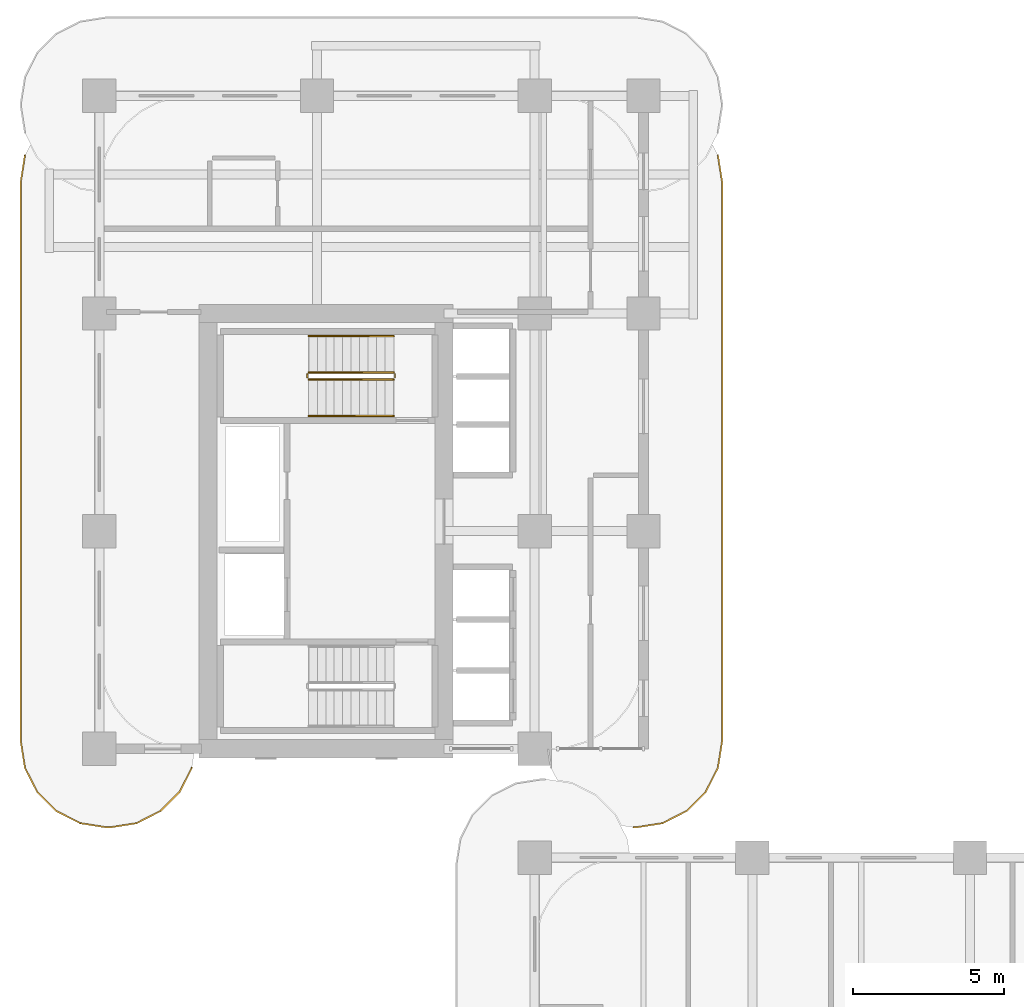
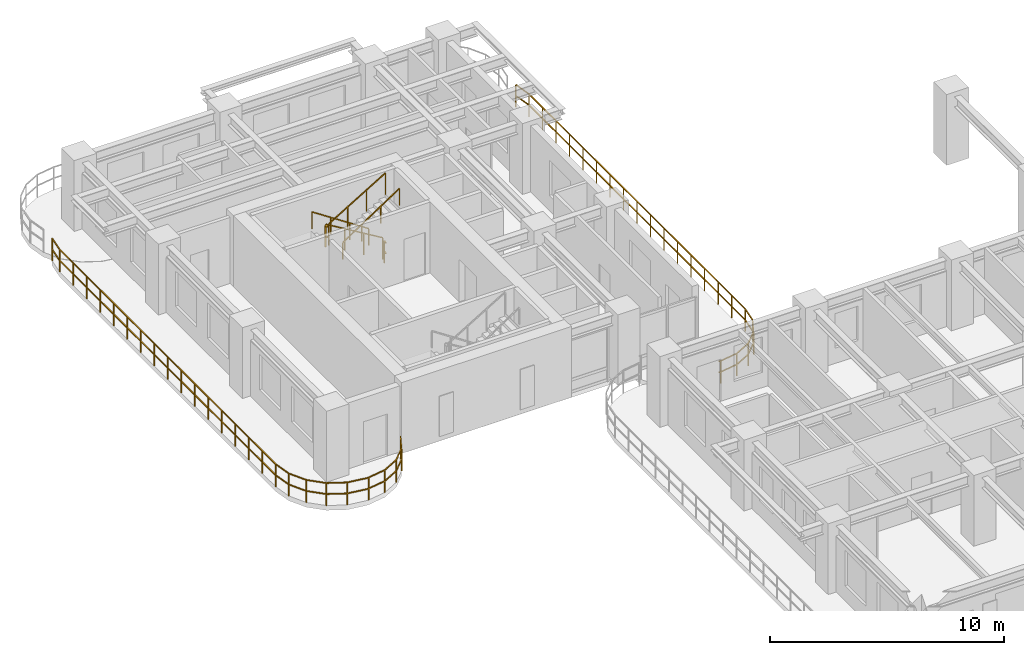
# One storey, part 18 of 19: 8 railings.
"""IFC4 building model written with IfcOpenShell, lengths in metres."""

from ifc_helpers import new_model, si_unit, derived_unit, direction, frame, origin, origin_2d, place, context, subcontext, project, spatial, rectangle, extrude, material, type_object, element, save


model = new_model("IFC4")

# Units and contexts
model_context = context("Model", 3, precision=1e-05, world=origin(), true_north=direction((0.0, 1.0)))
body_context = subcontext(model_context, "Body", "Model", "MODEL_VIEW")
ifc_project = project(units=[si_unit("LENGTHUNIT", "METRE"), si_unit("AREAUNIT", "SQUARE_METRE"), si_unit("VOLUMEUNIT", "CUBIC_METRE"), si_unit("PLANEANGLEUNIT", "RADIAN"), si_unit("MASSUNIT", "GRAM", prefix="KILO"), si_unit("THERMODYNAMICTEMPERATUREUNIT", "KELVIN"), si_unit("POWERUNIT", "WATT"), derived_unit("THERMALTRANSMITTANCEUNIT", [(si_unit("POWERUNIT", "WATT"), 1), (si_unit("AREAUNIT", "SQUARE_METRE"), -1), (si_unit("THERMODYNAMICTEMPERATUREUNIT", "KELVIN"), -1)])], contexts=[model_context])

# Site, building, storey
site_placement = place(None, origin())
site = spatial("IfcSite", under=ifc_project, at=site_placement, CompositionType="ELEMENT")
building_placement = place(site_placement, origin())
building = spatial("IfcBuilding", under=site, at=building_placement, Name="Zahravan Archway Hotel and Residences", CompositionType="ELEMENT")
storey_placement = place(building_placement, frame((0.0, 0.0, 39.800048828125)))
storey = spatial("IfcBuildingStorey", under=building, at=storey_placement, Name="L08", CompositionType="ELEMENT", Elevation=39.800048828125)

# Railings
ifc_material_1 = material(Name="Bronze & Laminated Glass Balustrade", Category="glass")
railing_type_1 = type_object("IfcRailingType", Name="RL-BAL-1200", PredefinedType="BALUSTRADE", material=ifc_material_1)
railing_1_placement = place(storey_placement, frame((3.060546875, 24.5693359375, 0.0)))
element("IfcRailing", 1, at=railing_1_placement, inside=storey, type_object=railing_type_1, Name="L08 Balustrade RL-SLB-BAL-L08-WB-1", PredefinedType="BALUSTRADE", context=body_context, shape_type="SweptSolid", body=[
    extrude(rectangle(XDim=0.048095703125, YDim=0.048095703125, at=origin_2d()), frame((0.0, 0.0, 1.17578125), z_axis=(-0.453991409995, -0.891006060389, 0.0), x_axis=(0.891006060389, -0.453991409995, 0.0)), (0.0, 0.0, 1.0), 0.8916015625),
    extrude(rectangle(XDim=0.048095703125, YDim=0.048095703125, at=origin_2d()), frame((0.0, 0.0, 0.60009765625), z_axis=(-0.453991409995, -0.891006060389, 0.0), x_axis=(0.891006060389, -0.453991409995, 0.0)), (0.0, 0.0, 1.0), 0.8916015625),
    extrude(rectangle(XDim=0.048095703125, YDim=0.048095703125, at=origin_2d()), frame((-0.40478515625, -0.79443359375, 1.17578125), z_axis=(-0.707106781187, -0.707106781187, 0.0), x_axis=(0.707106781187, -0.707106781187, 0.0)), (0.0, 0.0, 1.0), 0.891845703125),
    extrude(rectangle(XDim=0.048095703125, YDim=0.048095703125, at=origin_2d()), frame((-0.40478515625, -0.79443359375, 0.60009765625), z_axis=(-0.707106781187, -0.707106781187, 0.0), x_axis=(0.707106781187, -0.707106781187, 0.0)), (0.0, 0.0, 1.0), 0.891845703125),
    extrude(rectangle(XDim=0.048095703125, YDim=0.048095703125, at=origin_2d()), frame((-1.035400390625, -1.425048828125, 1.17578125), z_axis=(-0.891006060389, -0.453991409995, 0.0), x_axis=(0.453991409995, -0.891006060389, 0.0)), (0.0, 0.0, 1.0), 0.8916015625),
    extrude(rectangle(XDim=0.048095703125, YDim=0.048095703125, at=origin_2d()), frame((-1.035400390625, -1.425048828125, 0.60009765625), z_axis=(-0.891006060389, -0.453991409995, 0.0), x_axis=(0.453991409995, -0.891006060389, 0.0)), (0.0, 0.0, 1.0), 0.8916015625),
    extrude(rectangle(XDim=0.048095703125, YDim=0.048095703125, at=origin_2d()), frame((-1.829833984375, -1.829833984375, 1.17578125), z_axis=(-0.987700720307, -0.156356282588, 0.0), x_axis=(0.156356282588, -0.987700720307, 0.0)), (0.0, 0.0, 1.0), 0.8916015625),
    extrude(rectangle(XDim=0.048095703125, YDim=0.048095703125, at=origin_2d()), frame((-1.829833984375, -1.829833984375, 0.60009765625), z_axis=(-0.987700720307, -0.156356282588, 0.0), x_axis=(0.156356282588, -0.987700720307, 0.0)), (0.0, 0.0, 1.0), 0.8916015625),
    extrude(rectangle(XDim=0.048095703125, YDim=0.048095703125, at=origin_2d()), frame((-2.71044921875, -1.96923828125, 1.17578125), z_axis=(-1.0, 0.0, 0.0), x_axis=(0.0, -1.0, 0.0)), (0.0, 0.0, 1.0), 0.10009765625),
    extrude(rectangle(XDim=0.048095703125, YDim=0.048095703125, at=origin_2d()), frame((-2.71044921875, -1.96923828125, 0.60009765625), z_axis=(-1.0, 0.0, 0.0), x_axis=(0.0, -1.0, 0.0)), (0.0, 0.0, 1.0), 0.10009765625),
    extrude(rectangle(XDim=0.048095703125, YDim=0.048095703125, at=origin_2d()), frame((-2.810546875, -1.96923828125, 1.17578125), z_axis=(-0.987700720307, 0.156356282588, 0.0), x_axis=(-0.156356282588, -0.987700720307, 0.0)), (0.0, 0.0, 1.0), 0.8916015625),
    extrude(rectangle(XDim=0.048095703125, YDim=0.048095703125, at=origin_2d()), frame((-2.810546875, -1.96923828125, 0.60009765625), z_axis=(-0.987700720307, 0.156356282588, 0.0), x_axis=(-0.156356282588, -0.987700720307, 0.0)), (0.0, 0.0, 1.0), 0.8916015625),
    extrude(rectangle(XDim=0.048095703125, YDim=0.048095703125, at=origin_2d()), frame((-3.691162109375, -1.829833984375, 1.17578125), z_axis=(-0.891062476022, 0.45388067135, 0.0), x_axis=(-0.45388067135, -0.891062476022, 0.0)), (0.0, 0.0, 1.0), 0.891845703125),
    extrude(rectangle(XDim=0.048095703125, YDim=0.048095703125, at=origin_2d()), frame((-3.691162109375, -1.829833984375, 0.60009765625), z_axis=(-0.891062476022, 0.45388067135, 0.0), x_axis=(-0.45388067135, -0.891062476022, 0.0)), (0.0, 0.0, 1.0), 0.891845703125),
    extrude(rectangle(XDim=0.048095703125, YDim=0.048095703125, at=origin_2d()), frame((-4.48583984375, -1.425048828125, 1.17578125), z_axis=(-0.706969864397, 0.70724367147, 0.0), x_axis=(-0.70724367147, -0.706969864397, 0.0)), (0.0, 0.0, 1.0), 0.8916015625),
    extrude(rectangle(XDim=0.048095703125, YDim=0.048095703125, at=origin_2d()), frame((-4.48583984375, -1.425048828125, 0.60009765625), z_axis=(-0.706969864397, 0.70724367147, 0.0), x_axis=(-0.70724367147, -0.706969864397, 0.0)), (0.0, 0.0, 1.0), 0.8916015625),
    extrude(rectangle(XDim=0.048095703125, YDim=0.048095703125, at=origin_2d()), frame((-5.1162109375, -0.79443359375, 1.17578125), z_axis=(-0.453991409995, 0.891006060389, 0.0), x_axis=(-0.891006060389, -0.453991409995, 0.0)), (0.0, 0.0, 1.0), 0.8916015625),
    extrude(rectangle(XDim=0.048095703125, YDim=0.048095703125, at=origin_2d()), frame((-5.1162109375, -0.79443359375, 0.60009765625), z_axis=(-0.453991409995, 0.891006060389, 0.0), x_axis=(-0.891006060389, -0.453991409995, 0.0)), (0.0, 0.0, 1.0), 0.8916015625),
    extrude(rectangle(XDim=0.048095703125, YDim=0.048095703125, at=origin_2d()), frame((-5.52099609375, 0.0, 1.17578125), z_axis=(-0.156623399917, 0.987658397726, 0.0), x_axis=(-0.987658397726, -0.156623399917, 0.0)), (0.0, 0.0, 1.0), 0.8916015625),
    extrude(rectangle(XDim=0.048095703125, YDim=0.048095703125, at=origin_2d()), frame((-5.52099609375, 0.0, 0.60009765625), z_axis=(-0.156623399917, 0.987658397726, 0.0), x_axis=(-0.987658397726, -0.156623399917, 0.0)), (0.0, 0.0, 1.0), 0.8916015625),
    extrude(rectangle(XDim=0.048095703125, YDim=0.048095703125, at=origin_2d()), frame((-5.66064453125, 0.880615234375, 1.17578125), z_axis=(0.0, 1.0, 0.0), x_axis=(-1.0, 0.0, 0.0)), (0.0, 0.0, 1.0), 18.5),
    extrude(rectangle(XDim=0.048095703125, YDim=0.048095703125, at=origin_2d()), frame((-5.66064453125, 0.880615234375, 0.60009765625), z_axis=(0.0, 1.0, 0.0), x_axis=(-1.0, 0.0, 0.0)), (0.0, 0.0, 1.0), 18.5),
    extrude(rectangle(XDim=0.048095703125, YDim=0.048095703125, at=origin_2d()), frame((-5.66064453125, 19.380615234375, 1.17578125), z_axis=(0.156581054338, 0.98766511198, 0.0), x_axis=(-0.98766511198, 0.156581054338, 0.0)), (0.0, 0.0, 1.0), 0.891845703125),
    extrude(rectangle(XDim=0.048095703125, YDim=0.048095703125, at=origin_2d()), frame((-5.66064453125, 19.380615234375, 0.60009765625), z_axis=(0.156581054338, 0.98766511198, 0.0), x_axis=(-0.98766511198, 0.156581054338, 0.0)), (0.0, 0.0, 1.0), 0.891845703125),
    extrude(rectangle(XDim=0.0419921875, YDim=0.0419921875, at=origin_2d()), origin(), (0.0, 0.0, 1.0), 1.15185546875),
    extrude(rectangle(XDim=0.0419921875, YDim=0.0419921875, at=origin_2d()), frame((-0.40478515625, -0.79443359375, 0.0)), (0.0, 0.0, 1.0), 1.15185546875),
    extrude(rectangle(XDim=0.0419921875, YDim=0.0419921875, at=origin_2d()), frame((-1.035400390625, -1.425048828125, 0.0)), (0.0, 0.0, 1.0), 1.15185546875),
    extrude(rectangle(XDim=0.0419921875, YDim=0.0419921875, at=origin_2d()), frame((-1.829833984375, -1.829833984375, 0.0)), (0.0, 0.0, 1.0), 1.15185546875),
    extrude(rectangle(XDim=0.0419921875, YDim=0.0419921875, at=origin_2d()), frame((-2.71044921875, -1.96923828125, 0.0)), (0.0, 0.0, 1.0), 1.15185546875),
    extrude(rectangle(XDim=0.0419921875, YDim=0.0419921875, at=origin_2d()), frame((-3.691162109375, -1.829833984375, 0.0)), (0.0, 0.0, 1.0), 1.15185546875),
    extrude(rectangle(XDim=0.0419921875, YDim=0.0419921875, at=origin_2d()), frame((-4.48583984375, -1.425048828125, 0.0)), (0.0, 0.0, 1.0), 1.15185546875),
    extrude(rectangle(XDim=0.0419921875, YDim=0.0419921875, at=origin_2d()), frame((-5.1162109375, -0.79443359375, 0.0)), (0.0, 0.0, 1.0), 1.15185546875),
    extrude(rectangle(XDim=0.0419921875, YDim=0.0419921875, at=origin_2d()), frame((-5.52099609375, 0.0, 0.0)), (0.0, 0.0, 1.0), 1.15185546875),
    extrude(rectangle(XDim=0.0419921875, YDim=0.0419921875, at=origin_2d()), frame((-5.66064453125, 0.880615234375, 0.0)), (0.0, 0.0, 1.0), 1.15185546875),
    extrude(rectangle(XDim=0.0419921875, YDim=0.0419921875, at=origin_2d()), frame((-5.66064453125, 2.036865234375, 0.0)), (0.0, 0.0, 1.0), 1.15185546875),
    extrude(rectangle(XDim=0.0419921875, YDim=0.0419921875, at=origin_2d()), frame((-5.66064453125, 3.193115234375, 0.0)), (0.0, 0.0, 1.0), 1.15185546875),
    extrude(rectangle(XDim=0.0419921875, YDim=0.0419921875, at=origin_2d()), frame((-5.66064453125, 4.349365234375, 0.0)), (0.0, 0.0, 1.0), 1.15185546875),
    extrude(rectangle(XDim=0.0419921875, YDim=0.0419921875, at=origin_2d()), frame((-5.66064453125, 5.505615234375, 0.0)), (0.0, 0.0, 1.0), 1.15185546875),
    extrude(rectangle(XDim=0.0419921875, YDim=0.0419921875, at=origin_2d()), frame((-5.66064453125, 6.661865234375, 0.0)), (0.0, 0.0, 1.0), 1.15185546875),
    extrude(rectangle(XDim=0.0419921875, YDim=0.0419921875, at=origin_2d()), frame((-5.66064453125, 7.818115234375, 0.0)), (0.0, 0.0, 1.0), 1.15185546875),
    extrude(rectangle(XDim=0.0419921875, YDim=0.0419921875, at=origin_2d()), frame((-5.66064453125, 8.974365234375, 0.0)), (0.0, 0.0, 1.0), 1.15185546875),
    extrude(rectangle(XDim=0.0419921875, YDim=0.0419921875, at=origin_2d()), frame((-5.66064453125, 10.130615234375, 0.0)), (0.0, 0.0, 1.0), 1.15185546875),
    extrude(rectangle(XDim=0.0419921875, YDim=0.0419921875, at=origin_2d()), frame((-5.66064453125, 11.286865234375, 0.0)), (0.0, 0.0, 1.0), 1.15185546875),
    extrude(rectangle(XDim=0.0419921875, YDim=0.0419921875, at=origin_2d()), frame((-5.66064453125, 12.443115234375, 0.0)), (0.0, 0.0, 1.0), 1.15185546875),
    extrude(rectangle(XDim=0.0419921875, YDim=0.0419921875, at=origin_2d()), frame((-5.66064453125, 13.599365234375, 0.0)), (0.0, 0.0, 1.0), 1.15185546875),
    extrude(rectangle(XDim=0.0419921875, YDim=0.0419921875, at=origin_2d()), frame((-5.66064453125, 14.755615234375, 0.0)), (0.0, 0.0, 1.0), 1.15185546875),
    extrude(rectangle(XDim=0.0419921875, YDim=0.0419921875, at=origin_2d()), frame((-5.66064453125, 15.911865234375, 0.0)), (0.0, 0.0, 1.0), 1.15185546875),
    extrude(rectangle(XDim=0.0419921875, YDim=0.0419921875, at=origin_2d()), frame((-5.66064453125, 17.068115234375, 0.0)), (0.0, 0.0, 1.0), 1.15185546875),
    extrude(rectangle(XDim=0.0419921875, YDim=0.0419921875, at=origin_2d()), frame((-5.66064453125, 18.224365234375, 0.0)), (0.0, 0.0, 1.0), 1.15185546875),
    extrude(rectangle(XDim=0.0419921875, YDim=0.0419921875, at=origin_2d()), frame((-5.66064453125, 19.380615234375, 0.0)), (0.0, 0.0, 1.0), 1.15185546875),
    extrude(rectangle(XDim=0.0419921875, YDim=0.0419921875, at=origin_2d()), frame((-5.52099609375, 20.261474609375, 0.0)), (0.0, 0.0, 1.0), 1.15185546875),
])
railing_2_placement = place(storey_placement, frame((20.46044921875, 44.830810546875, 0.0)))
element("IfcRailing", 2, at=railing_2_placement, inside=storey, type_object=railing_type_1, Name="L08 Balustrade RL-SLB-BAL-L08-EB-2", PredefinedType="BALUSTRADE", context=body_context, shape_type="SweptSolid", body=[
    extrude(rectangle(XDim=0.048095703125, YDim=0.048095703125, at=origin_2d()), frame((0.0, 0.0, 1.17578125), z_axis=(0.156581054338, -0.98766511198, 0.0), x_axis=(0.98766511198, 0.156581054338, 0.0)), (0.0, 0.0, 1.0), 0.891845703125),
    extrude(rectangle(XDim=0.048095703125, YDim=0.048095703125, at=origin_2d()), frame((0.0, 0.0, 0.60009765625), z_axis=(0.156581054338, -0.98766511198, 0.0), x_axis=(0.98766511198, 0.156581054338, 0.0)), (0.0, 0.0, 1.0), 0.891845703125),
    extrude(rectangle(XDim=0.048095703125, YDim=0.048095703125, at=origin_2d()), frame((0.1396484375, -0.880859375, 1.17578125), z_axis=(0.0, -1.0, 0.0), x_axis=(1.0, 0.0, 0.0)), (0.0, 0.0, 1.0), 18.5),
    extrude(rectangle(XDim=0.048095703125, YDim=0.048095703125, at=origin_2d()), frame((0.1396484375, -0.880859375, 0.60009765625), z_axis=(0.0, -1.0, 0.0), x_axis=(1.0, 0.0, 0.0)), (0.0, 0.0, 1.0), 18.5),
    extrude(rectangle(XDim=0.048095703125, YDim=0.048095703125, at=origin_2d()), frame((0.1396484375, -19.380859375, 1.17578125), z_axis=(-0.156623399917, -0.987658397726, 0.0), x_axis=(0.987658397726, -0.156623399917, 0.0)), (0.0, 0.0, 1.0), 0.8916015625),
    extrude(rectangle(XDim=0.048095703125, YDim=0.048095703125, at=origin_2d()), frame((0.1396484375, -19.380859375, 0.60009765625), z_axis=(-0.156623399917, -0.987658397726, 0.0), x_axis=(0.987658397726, -0.156623399917, 0.0)), (0.0, 0.0, 1.0), 0.8916015625),
    extrude(rectangle(XDim=0.048095703125, YDim=0.048095703125, at=origin_2d()), frame((0.0, -20.261474609375, 1.17578125), z_axis=(-0.453991409995, -0.891006060389, 0.0), x_axis=(0.891006060389, -0.453991409995, 0.0)), (0.0, 0.0, 1.0), 0.8916015625),
    extrude(rectangle(XDim=0.048095703125, YDim=0.048095703125, at=origin_2d()), frame((0.0, -20.261474609375, 0.60009765625), z_axis=(-0.453991409995, -0.891006060389, 0.0), x_axis=(0.891006060389, -0.453991409995, 0.0)), (0.0, 0.0, 1.0), 0.8916015625),
    extrude(rectangle(XDim=0.048095703125, YDim=0.048095703125, at=origin_2d()), frame((-0.40478515625, -21.055908203125, 1.17578125), z_axis=(-0.706969864397, -0.70724367147, 0.0), x_axis=(0.70724367147, -0.706969864397, 0.0)), (0.0, 0.0, 1.0), 0.8916015625),
    extrude(rectangle(XDim=0.048095703125, YDim=0.048095703125, at=origin_2d()), frame((-0.40478515625, -21.055908203125, 0.60009765625), z_axis=(-0.706969864397, -0.70724367147, 0.0), x_axis=(0.70724367147, -0.706969864397, 0.0)), (0.0, 0.0, 1.0), 0.8916015625),
    extrude(rectangle(XDim=0.048095703125, YDim=0.048095703125, at=origin_2d()), frame((-1.03515625, -21.6865234375, 1.17578125), z_axis=(-0.891062476022, -0.45388067135, 0.0), x_axis=(0.45388067135, -0.891062476022, 0.0)), (0.0, 0.0, 1.0), 0.891845703125),
    extrude(rectangle(XDim=0.048095703125, YDim=0.048095703125, at=origin_2d()), frame((-1.03515625, -21.6865234375, 0.60009765625), z_axis=(-0.891062476022, -0.45388067135, 0.0), x_axis=(0.45388067135, -0.891062476022, 0.0)), (0.0, 0.0, 1.0), 0.891845703125),
    extrude(rectangle(XDim=0.048095703125, YDim=0.048095703125, at=origin_2d()), frame((-1.829833984375, -22.09130859375, 1.17578125), z_axis=(-0.987700720307, -0.156356282588, 0.0), x_axis=(0.156356282588, -0.987700720307, 0.0)), (0.0, 0.0, 1.0), 0.8916015625),
    extrude(rectangle(XDim=0.048095703125, YDim=0.048095703125, at=origin_2d()), frame((-1.829833984375, -22.09130859375, 0.60009765625), z_axis=(-0.987700720307, -0.156356282588, 0.0), x_axis=(0.156356282588, -0.987700720307, 0.0)), (0.0, 0.0, 1.0), 0.8916015625),
    extrude(rectangle(XDim=0.048095703125, YDim=0.048095703125, at=origin_2d()), frame((-2.71044921875, -22.230712890625, 1.17578125), z_axis=(-1.0, 0.0, 0.0), x_axis=(0.0, -1.0, 0.0)), (0.0, 0.0, 1.0), 0.10009765625),
    extrude(rectangle(XDim=0.048095703125, YDim=0.048095703125, at=origin_2d()), frame((-2.71044921875, -22.230712890625, 0.60009765625), z_axis=(-1.0, 0.0, 0.0), x_axis=(0.0, -1.0, 0.0)), (0.0, 0.0, 1.0), 0.10009765625),
    extrude(rectangle(XDim=0.0419921875, YDim=0.0419921875, at=origin_2d()), origin(), (0.0, 0.0, 1.0), 1.15185546875),
    extrude(rectangle(XDim=0.0419921875, YDim=0.0419921875, at=origin_2d()), frame((0.1396484375, -0.880859375, 0.0)), (0.0, 0.0, 1.0), 1.15185546875),
    extrude(rectangle(XDim=0.0419921875, YDim=0.0419921875, at=origin_2d()), frame((0.1396484375, -2.037109375, 0.0)), (0.0, 0.0, 1.0), 1.15185546875),
    extrude(rectangle(XDim=0.0419921875, YDim=0.0419921875, at=origin_2d()), frame((0.1396484375, -3.193359375, 0.0)), (0.0, 0.0, 1.0), 1.15185546875),
    extrude(rectangle(XDim=0.0419921875, YDim=0.0419921875, at=origin_2d()), frame((0.1396484375, -4.349609375, 0.0)), (0.0, 0.0, 1.0), 1.15185546875),
    extrude(rectangle(XDim=0.0419921875, YDim=0.0419921875, at=origin_2d()), frame((0.1396484375, -5.505859375, 0.0)), (0.0, 0.0, 1.0), 1.15185546875),
    extrude(rectangle(XDim=0.0419921875, YDim=0.0419921875, at=origin_2d()), frame((0.1396484375, -6.662109375, 0.0)), (0.0, 0.0, 1.0), 1.15185546875),
    extrude(rectangle(XDim=0.0419921875, YDim=0.0419921875, at=origin_2d()), frame((0.1396484375, -7.818359375, 0.0)), (0.0, 0.0, 1.0), 1.15185546875),
    extrude(rectangle(XDim=0.0419921875, YDim=0.0419921875, at=origin_2d()), frame((0.1396484375, -8.974609375, 0.0)), (0.0, 0.0, 1.0), 1.15185546875),
    extrude(rectangle(XDim=0.0419921875, YDim=0.0419921875, at=origin_2d()), frame((0.1396484375, -10.130859375, 0.0)), (0.0, 0.0, 1.0), 1.15185546875),
    extrude(rectangle(XDim=0.0419921875, YDim=0.0419921875, at=origin_2d()), frame((0.1396484375, -11.287109375, 0.0)), (0.0, 0.0, 1.0), 1.15185546875),
    extrude(rectangle(XDim=0.0419921875, YDim=0.0419921875, at=origin_2d()), frame((0.1396484375, -12.443359375, 0.0)), (0.0, 0.0, 1.0), 1.15185546875),
    extrude(rectangle(XDim=0.0419921875, YDim=0.0419921875, at=origin_2d()), frame((0.1396484375, -13.599609375, 0.0)), (0.0, 0.0, 1.0), 1.15185546875),
    extrude(rectangle(XDim=0.0419921875, YDim=0.0419921875, at=origin_2d()), frame((0.1396484375, -14.755859375, 0.0)), (0.0, 0.0, 1.0), 1.15185546875),
    extrude(rectangle(XDim=0.0419921875, YDim=0.0419921875, at=origin_2d()), frame((0.1396484375, -15.912109375, 0.0)), (0.0, 0.0, 1.0), 1.15185546875),
    extrude(rectangle(XDim=0.0419921875, YDim=0.0419921875, at=origin_2d()), frame((0.1396484375, -17.068359375, 0.0)), (0.0, 0.0, 1.0), 1.15185546875),
    extrude(rectangle(XDim=0.0419921875, YDim=0.0419921875, at=origin_2d()), frame((0.1396484375, -18.224609375, 0.0)), (0.0, 0.0, 1.0), 1.15185546875),
    extrude(rectangle(XDim=0.0419921875, YDim=0.0419921875, at=origin_2d()), frame((0.1396484375, -19.380859375, 0.0)), (0.0, 0.0, 1.0), 1.15185546875),
    extrude(rectangle(XDim=0.0419921875, YDim=0.0419921875, at=origin_2d()), frame((0.0, -20.261474609375, 0.0)), (0.0, 0.0, 1.0), 1.15185546875),
    extrude(rectangle(XDim=0.0419921875, YDim=0.0419921875, at=origin_2d()), frame((-0.40478515625, -21.055908203125, 0.0)), (0.0, 0.0, 1.0), 1.15185546875),
    extrude(rectangle(XDim=0.0419921875, YDim=0.0419921875, at=origin_2d()), frame((-1.03515625, -21.6865234375, 0.0)), (0.0, 0.0, 1.0), 1.15185546875),
    extrude(rectangle(XDim=0.0419921875, YDim=0.0419921875, at=origin_2d()), frame((-1.829833984375, -22.09130859375, 0.0)), (0.0, 0.0, 1.0), 1.15185546875),
    extrude(rectangle(XDim=0.0419921875, YDim=0.0419921875, at=origin_2d()), frame((-2.71044921875, -22.230712890625, 0.0)), (0.0, 0.0, 1.0), 1.15185546875),
])
ifc_material_2 = material(Name="Painted Tubular Steel", Category="steel")
railing_type_2 = type_object("IfcRailingType", Name="RL-STG-1150", PredefinedType="GUARDRAIL", material=ifc_material_2)
railing_3_placement = place(storey_placement, frame((9.72998046875, 37.64990234375, 0.168212890625)))
element("IfcRailing", 3, at=railing_3_placement, inside=storey, type_object=railing_type_2, Name="L08 ST-B2 stair guard 1", PredefinedType="GUARDRAIL", context=body_context, shape_type="SweptSolid", body=[
    extrude(rectangle(XDim=0.048095703125, YDim=0.048095703125, at=origin_2d()), frame((0.0, 0.0, 1.1259765625), z_axis=(-0.857275202839, 0.0, 0.514858452973), x_axis=(0.0, -1.0, 0.0)), (0.0, 0.0, 1.0), 3.26611328125),
    extrude(rectangle(XDim=0.0419921875, YDim=0.0419921875, at=origin_2d()), origin(), (0.0, 0.0, 1.0), 1.101806640625),
    extrude(rectangle(XDim=0.0419921875, YDim=0.0419921875, at=origin_2d()), frame((-0.933349609375, 0.0, 0.560546875)), (0.0, 0.0, 1.0), 1.101806640625),
    extrude(rectangle(XDim=0.0419921875, YDim=0.0419921875, at=origin_2d()), frame((-1.86669921875, 0.0, 1.12109375)), (0.0, 0.0, 1.0), 1.101806640625),
    extrude(rectangle(XDim=0.0419921875, YDim=0.0419921875, at=origin_2d()), frame((-2.800048828125, 0.0, 1.681640625)), (0.0, 0.0, 1.0), 1.101806640625),
])
railing_4_placement = place(storey_placement, frame((6.8798828125, 37.60009765625, 1.849853515625)))
element("IfcRailing", 4, at=railing_4_placement, inside=storey, type_object=railing_type_2, Name="L08 ST-B2 stair guard 2", PredefinedType="GUARDRAIL", context=body_context, shape_type="SweptSolid", body=[
    extrude(rectangle(XDim=0.048095703125, YDim=0.048095703125, at=origin_2d()), frame((0.0, 0.0, 1.1259765625), z_axis=(0.0, -1.0, 0.0), x_axis=(1.0, 0.0, 0.0)), (0.0, 0.0, 1.0), 0.14013671875),
    extrude(rectangle(XDim=0.048095703125, YDim=0.048095703125, at=origin_2d()), frame((0.0, 0.0, 0.574951171875), z_axis=(0.0, -1.0, 0.0), x_axis=(1.0, 0.0, 0.0)), (0.0, 0.0, 1.0), 0.14013671875),
    extrude(rectangle(XDim=0.0419921875, YDim=0.0419921875, at=origin_2d()), origin(), (0.0, 0.0, 1.0), 1.101806640625),
])
railing_5_placement = place(storey_placement, frame((6.929931640625, 37.409912109375, 2.01806640625)))
element("IfcRailing", 5, at=railing_5_placement, inside=storey, type_object=railing_type_2, Name="L08 ST-B2 stair guard 3", PredefinedType="GUARDRAIL", context=body_context, shape_type="SweptSolid", body=[
    extrude(rectangle(XDim=0.048095703125, YDim=0.048095703125, at=origin_2d()), frame((0.0, 0.0, 1.1259765625), z_axis=(0.857242210791, 0.0, 0.514913383045), x_axis=(0.0, 1.0, 0.0)), (0.0, 0.0, 1.0), 3.266357421875),
    extrude(rectangle(XDim=0.0419921875, YDim=0.0419921875, at=origin_2d()), origin(), (0.0, 0.0, 1.0), 1.101806640625),
    extrude(rectangle(XDim=0.0419921875, YDim=0.0419921875, at=origin_2d()), frame((0.933349609375, 0.0, 0.560546875)), (0.0, 0.0, 1.0), 1.101806640625),
    extrude(rectangle(XDim=0.0419921875, YDim=0.0419921875, at=origin_2d()), frame((1.86669921875, 0.0, 1.121337890625)), (0.0, 0.0, 1.0), 1.101806640625),
    extrude(rectangle(XDim=0.0419921875, YDim=0.0419921875, at=origin_2d()), frame((2.800048828125, 0.0, 1.681884765625)), (0.0, 0.0, 1.0), 1.101806640625),
])
railing_6_placement = place(storey_placement, frame((9.780029296875, 37.60009765625, 0.0)))
element("IfcRailing", 6, at=railing_6_placement, inside=storey, type_object=railing_type_2, Name="L08 ST-B2 stair guard 4", PredefinedType="GUARDRAIL", context=body_context, shape_type="SweptSolid", body=[
    extrude(rectangle(XDim=0.048095703125, YDim=0.048095703125, at=origin_2d()), frame((0.0, 0.0, 1.1259765625), z_axis=(0.0, -1.0, 0.0), x_axis=(1.0, 0.0, 0.0)), (0.0, 0.0, 1.0), 0.14013671875),
    extrude(rectangle(XDim=0.048095703125, YDim=0.048095703125, at=origin_2d()), frame((0.0, 0.0, 0.574951171875), z_axis=(0.0, -1.0, 0.0), x_axis=(1.0, 0.0, 0.0)), (0.0, 0.0, 1.0), 0.14013671875),
    extrude(rectangle(XDim=0.0419921875, YDim=0.0419921875, at=origin_2d()), origin(), (0.0, 0.0, 1.0), 1.101806640625),
])
ifc_material_3 = material(Name="Brushed Stainless Steel", Category="steel")
railing_type_3 = type_object("IfcRailingType", Name="RL-STH-900", PredefinedType="HANDRAIL", material=ifc_material_3)
railing_7_placement = place(storey_placement, frame((9.72998046875, 38.85009765625, 0.168212890625)))
element("IfcRailing", 7, at=railing_7_placement, inside=storey, type_object=railing_type_3, Name="L08 ST-B2 stair handrail 1", PredefinedType="HANDRAIL", context=body_context, shape_type="SweptSolid", body=[
    extrude(rectangle(XDim=0.048095703125, YDim=0.048095703125, at=origin_2d()), frame((0.0, 0.0, 0.8759765625), z_axis=(-0.83435981716, 0.0, 0.551220187865), x_axis=(0.0, -1.0, 0.0)), (0.0, 0.0, 1.0), 3.35595703125),
    extrude(rectangle(XDim=0.0419921875, YDim=0.0419921875, at=origin_2d()), origin(), (0.0, 0.0, 1.0), 0.851806640625),
    extrude(rectangle(XDim=0.0419921875, YDim=0.0419921875, at=origin_2d()), frame((-0.933349609375, 0.0, 0.61669921875)), (0.0, 0.0, 1.0), 0.851806640625),
    extrude(rectangle(XDim=0.0419921875, YDim=0.0419921875, at=origin_2d()), frame((-1.86669921875, 0.0, 1.233154296875)), (0.0, 0.0, 1.0), 0.851806640625),
    extrude(rectangle(XDim=0.0419921875, YDim=0.0419921875, at=origin_2d()), frame((-2.800048828125, 0.0, 1.849853515625)), (0.0, 0.0, 1.0), 0.851806640625),
])
railing_8_placement = place(storey_placement, frame((6.929931640625, 36.2099609375, 2.01806640625)))
element("IfcRailing", 8, at=railing_8_placement, inside=storey, type_object=railing_type_3, Name="L08 ST-B2 stair handrail 2", PredefinedType="HANDRAIL", context=body_context, shape_type="SweptSolid", body=[
    extrude(rectangle(XDim=0.048095703125, YDim=0.048095703125, at=origin_2d()), frame((0.0, 0.0, 0.8759765625), z_axis=(0.834326358476, 0.0, 0.551270829586), x_axis=(0.0, 1.0, 0.0)), (0.0, 0.0, 1.0), 3.35595703125),
    extrude(rectangle(XDim=0.0419921875, YDim=0.0419921875, at=origin_2d()), origin(), (0.0, 0.0, 1.0), 0.851806640625),
    extrude(rectangle(XDim=0.0419921875, YDim=0.0419921875, at=origin_2d()), frame((0.933349609375, 0.0, 0.61669921875)), (0.0, 0.0, 1.0), 0.851806640625),
    extrude(rectangle(XDim=0.0419921875, YDim=0.0419921875, at=origin_2d()), frame((1.86669921875, 0.0, 1.2333984375)), (0.0, 0.0, 1.0), 0.851806640625),
    extrude(rectangle(XDim=0.0419921875, YDim=0.0419921875, at=origin_2d()), frame((2.800048828125, 0.0, 1.85009765625)), (0.0, 0.0, 1.0), 0.851806640625),
])

save(model, "model.ifc")
